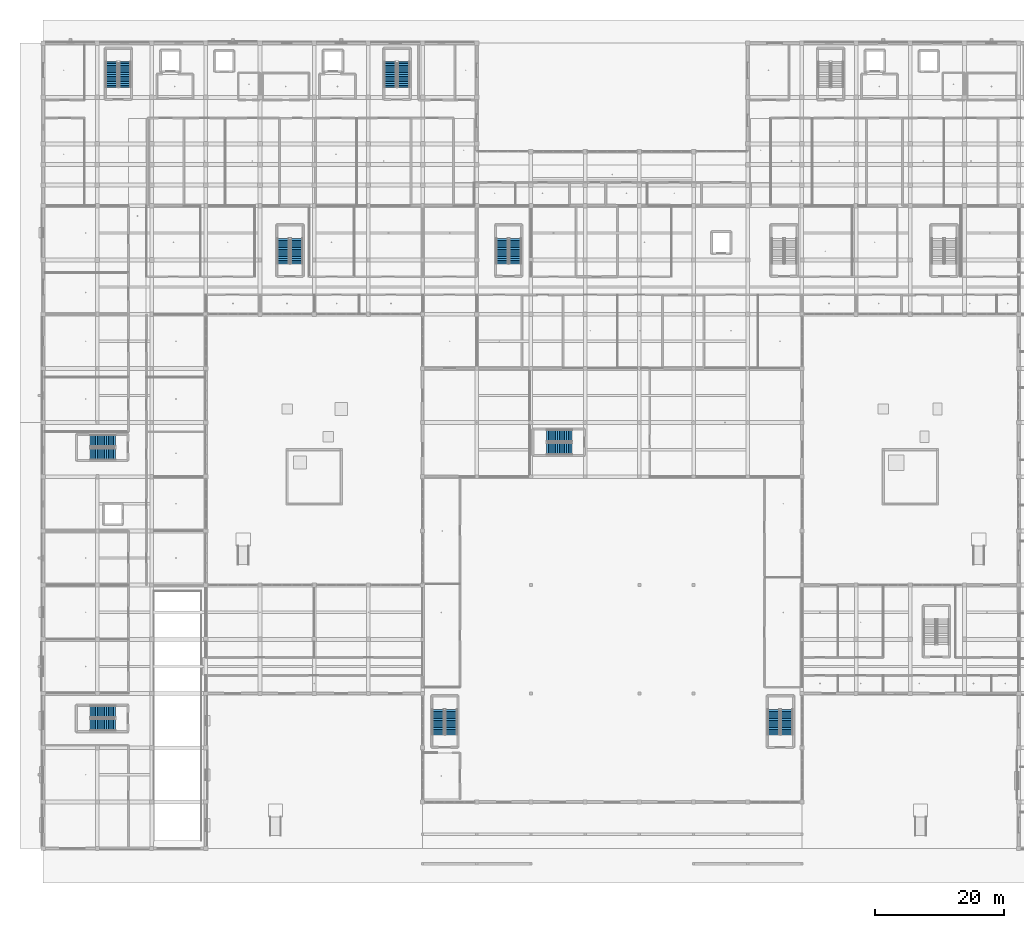
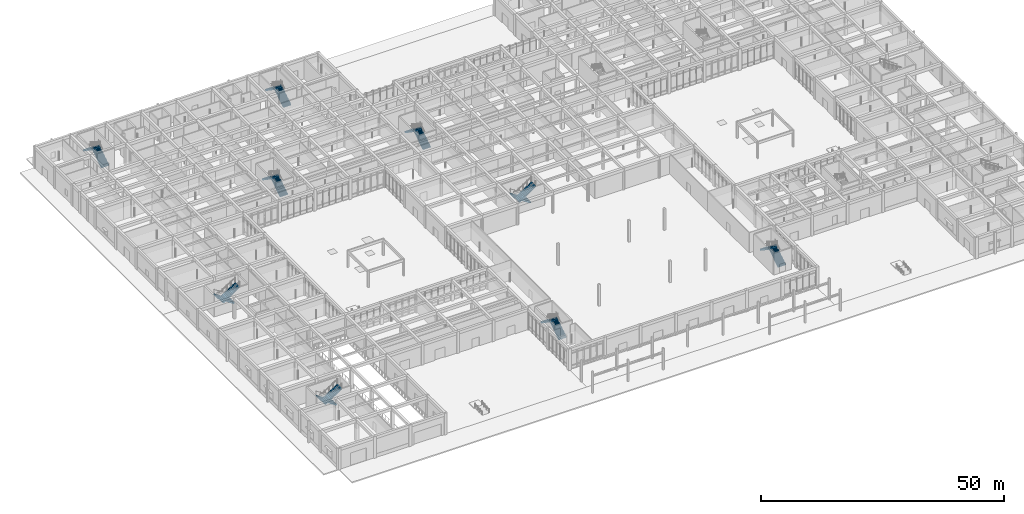
# One storey, part 80 of 167: 18 stair flights, 9 elements without a shape of their own.
"""IFC4 building model written with IfcOpenShell, lengths in metres."""

from ifc_helpers import new_model, si_unit, direction, frame, origin, place, context, subcontext, project, spatial, polyline, outline, extrude, material, type_object, element, aggregate, save


model = new_model("IFC4")

# Units and contexts
model_context = context("Model", 3, precision=1e-05, world=origin(), true_north=direction((0.0, 1.0)))
body_context = subcontext(model_context, "Body", "Model", "MODEL_VIEW")
ifc_project = project(units=[si_unit("LENGTHUNIT", "METRE"), si_unit("AREAUNIT", "SQUARE_METRE"), si_unit("VOLUMEUNIT", "CUBIC_METRE"), si_unit("PLANEANGLEUNIT", "RADIAN"), si_unit("MASSUNIT", "GRAM", prefix="KILO")], contexts=[model_context])

# Site, building, storey
site_placement = place(None, origin())
site = spatial("IfcSite", under=ifc_project, at=site_placement, CompositionType="ELEMENT")
building_placement = place(site_placement, origin())
building = spatial("IfcBuilding", under=site, at=building_placement, Name="Varncliffe General Hospital", CompositionType="ELEMENT")
storey_placement = place(building_placement, origin())
storey = spatial("IfcBuildingStorey", under=building, at=storey_placement, Name="L00", CompositionType="ELEMENT", Elevation=0.0)

# Stair, stair flights
ifc_material = material(Name="Concrete C35/45 (CSA A23.1 35 MPa)", Category="concrete")
stair_type = type_object("IfcStairType", Name="Hospital Stair Assembly ST-T02 (1850w-5400h)", PredefinedType="TWO_STRAIGHT_RUN_STAIR", material=ifc_material)
stair_1_placement = place(storey_placement, origin())
stair_1 = element("IfcStair", 1, at=stair_1_placement, inside=storey, type_object=stair_type, Name="L00 North-West Ward Exit Stair 1", PredefinedType="TWO_STRAIGHT_RUN_STAIR")
stair_flight_type = type_object("IfcStairFlightType", Name="Hospital Stair Flight FL-T02 (1850w-5400h)", PredefinedType="STRAIGHT", material=ifc_material)
stair_flight_1_placement = place(storey_placement, frame((12.675048828125, 118.0, 0.0), z_axis=(0.0, 0.0, 1.0), x_axis=(0.0, 1.0, 0.0)))
stair_flight_1 = element("IfcStairFlight", 2, at=stair_flight_1_placement, type_object=stair_flight_type, Name="ST01 flight 1", NumberOfRisers=15, NumberOfTreads=14, PredefinedType="STRAIGHT", RiserHeight=0.18, TreadLength=0.28, context=body_context, shape_type="SweptSolid", body=[
    extrude(outline(polyline([(-0.02490234375, -0.14990234375), (-0.02490234375, 0.0), (0.0, 0.0), (0.0, 0.179931640625), (0.280029296875, 0.179931640625), (0.280029296875, 0.360107421875), (0.56005859375, 0.360107421875), (0.56005859375, 0.5400390625), (0.840087890625, 0.5400390625), (0.840087890625, 0.719970703125), (1.1201171875, 0.719970703125), (1.1201171875, 0.89990234375), (1.39990234375, 0.89990234375), (1.39990234375, 1.080078125), (1.679931640625, 1.080078125), (1.679931640625, 1.260009765625), (1.9599609375, 1.260009765625), (1.9599609375, 1.43994140625), (2.239990234375, 1.43994140625), (2.239990234375, 1.6201171875), (2.52001953125, 1.6201171875), (2.52001953125, 1.800048828125), (2.800048828125, 1.800048828125), (2.800048828125, 1.97998046875), (3.080078125, 1.97998046875), (3.080078125, 2.159912109375), (3.360107421875, 2.159912109375), (3.360107421875, 2.340087890625), (3.639892578125, 2.340087890625), (3.639892578125, 2.52001953125), (3.919921875, 2.52001953125), (3.919921875, 2.699951171875), (3.94482421875, 2.699951171875), (3.94482421875, 2.550048828125), (3.919921875, 2.341796875), (0.277099609375, -0.14990234375), (-0.02490234375, -0.14990234375)])), frame((0.0, 0.925048828125, 0.0), z_axis=(0.0, -1.0, 0.0), x_axis=(1.0, 0.0, 0.0)), (0.0, 0.0, 1.0), 1.85009765625),
])
stair_flight_2_placement = place(storey_placement, frame((10.625, 121.919921875, 2.699951171875), z_axis=(0.0, 0.0, 1.0), x_axis=(0.0, -1.0, 0.0)))
stair_flight_2 = element("IfcStairFlight", 3, at=stair_flight_2_placement, type_object=stair_flight_type, Name="ST01 flight 2", NumberOfRisers=15, NumberOfTreads=14, PredefinedType="STRAIGHT", RiserHeight=0.18, TreadLength=0.28, context=body_context, shape_type="SweptSolid", body=[
    extrude(outline(polyline([(-0.02490234375, -0.14990234375), (-0.02490234375, 0.0), (0.0, 0.0), (0.0, 0.179931640625), (0.280029296875, 0.179931640625), (0.280029296875, 0.360107421875), (0.56005859375, 0.360107421875), (0.56005859375, 0.5400390625), (0.840087890625, 0.5400390625), (0.840087890625, 0.719970703125), (1.1201171875, 0.719970703125), (1.1201171875, 0.89990234375), (1.39990234375, 0.89990234375), (1.39990234375, 1.080078125), (1.679931640625, 1.080078125), (1.679931640625, 1.260009765625), (1.9599609375, 1.260009765625), (1.9599609375, 1.43994140625), (2.239990234375, 1.43994140625), (2.239990234375, 1.6201171875), (2.52001953125, 1.6201171875), (2.52001953125, 1.800048828125), (2.800048828125, 1.800048828125), (2.800048828125, 1.97998046875), (3.080078125, 1.97998046875), (3.080078125, 2.159912109375), (3.360107421875, 2.159912109375), (3.360107421875, 2.340087890625), (3.639892578125, 2.340087890625), (3.639892578125, 2.52001953125), (3.919921875, 2.52001953125), (3.919921875, 2.699951171875), (3.94482421875, 2.699951171875), (3.94482421875, 2.550048828125), (3.919921875, 2.341796875), (0.277099609375, -0.14990234375), (-0.02490234375, -0.14990234375)])), frame((0.0, 0.925048828125, 0.0), z_axis=(0.0, -1.0, 0.0), x_axis=(1.0, 0.0, 0.0)), (0.0, 0.0, 1.0), 1.85009765625),
])
aggregate(stair_1, [stair_flight_1, stair_flight_2])

stair_2_placement = place(storey_placement, origin())
stair_2 = element("IfcStair", 4, at=stair_2_placement, inside=storey, type_object=stair_type, Name="L00 North-West Ward Exit Stair 2", PredefinedType="TWO_STRAIGHT_RUN_STAIR")
stair_flight_3_placement = place(storey_placement, frame((55.875, 118.0, 0.0), z_axis=(0.0, 0.0, 1.0), x_axis=(0.0, 1.0, 0.0)))
stair_flight_3 = element("IfcStairFlight", 5, at=stair_flight_3_placement, type_object=stair_flight_type, Name="ST02 flight 1", NumberOfRisers=15, NumberOfTreads=14, PredefinedType="STRAIGHT", RiserHeight=0.18, TreadLength=0.28, context=body_context, shape_type="SweptSolid", body=[
    extrude(outline(polyline([(-0.02490234375, -0.14990234375), (-0.02490234375, 0.0), (0.0, 0.0), (0.0, 0.179931640625), (0.280029296875, 0.179931640625), (0.280029296875, 0.360107421875), (0.56005859375, 0.360107421875), (0.56005859375, 0.5400390625), (0.840087890625, 0.5400390625), (0.840087890625, 0.719970703125), (1.1201171875, 0.719970703125), (1.1201171875, 0.89990234375), (1.39990234375, 0.89990234375), (1.39990234375, 1.080078125), (1.679931640625, 1.080078125), (1.679931640625, 1.260009765625), (1.9599609375, 1.260009765625), (1.9599609375, 1.43994140625), (2.239990234375, 1.43994140625), (2.239990234375, 1.6201171875), (2.52001953125, 1.6201171875), (2.52001953125, 1.800048828125), (2.800048828125, 1.800048828125), (2.800048828125, 1.97998046875), (3.080078125, 1.97998046875), (3.080078125, 2.159912109375), (3.360107421875, 2.159912109375), (3.360107421875, 2.340087890625), (3.639892578125, 2.340087890625), (3.639892578125, 2.52001953125), (3.919921875, 2.52001953125), (3.919921875, 2.699951171875), (3.94482421875, 2.699951171875), (3.94482421875, 2.550048828125), (3.919921875, 2.341796875), (0.277099609375, -0.14990234375), (-0.02490234375, -0.14990234375)])), frame((0.0, 0.925048828125, 0.0), z_axis=(0.0, -1.0, 0.0), x_axis=(1.0, 0.0, 0.0)), (0.0, 0.0, 1.0), 1.85009765625),
])
stair_flight_4_placement = place(storey_placement, frame((53.824951171875, 121.919921875, 2.699951171875), z_axis=(0.0, 0.0, 1.0), x_axis=(0.0, -1.0, 0.0)))
stair_flight_4 = element("IfcStairFlight", 6, at=stair_flight_4_placement, type_object=stair_flight_type, Name="ST02 flight 2", NumberOfRisers=15, NumberOfTreads=14, PredefinedType="STRAIGHT", RiserHeight=0.18, TreadLength=0.28, context=body_context, shape_type="SweptSolid", body=[
    extrude(outline(polyline([(-0.02490234375, -0.14990234375), (-0.02490234375, 0.0), (0.0, 0.0), (0.0, 0.179931640625), (0.280029296875, 0.179931640625), (0.280029296875, 0.360107421875), (0.56005859375, 0.360107421875), (0.56005859375, 0.5400390625), (0.840087890625, 0.5400390625), (0.840087890625, 0.719970703125), (1.1201171875, 0.719970703125), (1.1201171875, 0.89990234375), (1.39990234375, 0.89990234375), (1.39990234375, 1.080078125), (1.679931640625, 1.080078125), (1.679931640625, 1.260009765625), (1.9599609375, 1.260009765625), (1.9599609375, 1.43994140625), (2.239990234375, 1.43994140625), (2.239990234375, 1.6201171875), (2.52001953125, 1.6201171875), (2.52001953125, 1.800048828125), (2.800048828125, 1.800048828125), (2.800048828125, 1.97998046875), (3.080078125, 1.97998046875), (3.080078125, 2.159912109375), (3.360107421875, 2.159912109375), (3.360107421875, 2.340087890625), (3.639892578125, 2.340087890625), (3.639892578125, 2.52001953125), (3.919921875, 2.52001953125), (3.919921875, 2.699951171875), (3.94482421875, 2.699951171875), (3.94482421875, 2.550048828125), (3.919921875, 2.341796875), (0.277099609375, -0.14990234375), (-0.02490234375, -0.14990234375)])), frame((0.0, 0.925048828125, 0.0), z_axis=(0.0, -1.0, 0.0), x_axis=(1.0, 0.0, 0.0)), (0.0, 0.0, 1.0), 1.85009765625),
])
aggregate(stair_2, [stair_flight_3, stair_flight_4])

stair_3_placement = place(storey_placement, origin())
stair_3 = element("IfcStair", 7, at=stair_3_placement, inside=storey, type_object=stair_type, Name="L00 Diagnostic West Exit Stair 5", PredefinedType="TWO_STRAIGHT_RUN_STAIR")
stair_flight_5_placement = place(storey_placement, frame((11.199951171875, 63.175048828125, 0.0), z_axis=(0.0, 0.0, 1.0), x_axis=(-1.0, 0.0, 0.0)))
stair_flight_5 = element("IfcStairFlight", 8, at=stair_flight_5_placement, type_object=stair_flight_type, Name="ST05 flight 1", NumberOfRisers=15, NumberOfTreads=14, PredefinedType="STRAIGHT", RiserHeight=0.18, TreadLength=0.28, context=body_context, shape_type="SweptSolid", body=[
    extrude(outline(polyline([(-0.02490234375, -0.14990234375), (-0.02490234375, 0.0), (0.0, 0.0), (0.0, 0.179931640625), (0.280029296875, 0.179931640625), (0.280029296875, 0.360107421875), (0.56005859375, 0.360107421875), (0.56005859375, 0.5400390625), (0.840087890625, 0.5400390625), (0.840087890625, 0.719970703125), (1.1201171875, 0.719970703125), (1.1201171875, 0.89990234375), (1.39990234375, 0.89990234375), (1.39990234375, 1.080078125), (1.679931640625, 1.080078125), (1.679931640625, 1.260009765625), (1.9599609375, 1.260009765625), (1.9599609375, 1.43994140625), (2.239990234375, 1.43994140625), (2.239990234375, 1.6201171875), (2.52001953125, 1.6201171875), (2.52001953125, 1.800048828125), (2.800048828125, 1.800048828125), (2.800048828125, 1.97998046875), (3.080078125, 1.97998046875), (3.080078125, 2.159912109375), (3.360107421875, 2.159912109375), (3.360107421875, 2.340087890625), (3.639892578125, 2.340087890625), (3.639892578125, 2.52001953125), (3.919921875, 2.52001953125), (3.919921875, 2.699951171875), (3.94482421875, 2.699951171875), (3.94482421875, 2.550048828125), (3.919921875, 2.341796875), (0.277099609375, -0.14990234375), (-0.02490234375, -0.14990234375)])), frame((0.0, 0.925048828125, 0.0), z_axis=(0.0, -1.0, 0.0), x_axis=(1.0, 0.0, 0.0)), (0.0, 0.0, 1.0), 1.85009765625),
])
stair_flight_6_placement = place(storey_placement, frame((7.280029296875, 61.125, 2.699951171875), z_axis=(0.0, 0.0, 1.0), x_axis=(1.0, 0.0, 0.0)))
stair_flight_6 = element("IfcStairFlight", 9, at=stair_flight_6_placement, type_object=stair_flight_type, Name="ST05 flight 2", NumberOfRisers=15, NumberOfTreads=14, PredefinedType="STRAIGHT", RiserHeight=0.18, TreadLength=0.28, context=body_context, shape_type="SweptSolid", body=[
    extrude(outline(polyline([(-0.02490234375, -0.14990234375), (-0.02490234375, 0.0), (0.0, 0.0), (0.0, 0.179931640625), (0.280029296875, 0.179931640625), (0.280029296875, 0.360107421875), (0.56005859375, 0.360107421875), (0.56005859375, 0.5400390625), (0.840087890625, 0.5400390625), (0.840087890625, 0.719970703125), (1.1201171875, 0.719970703125), (1.1201171875, 0.89990234375), (1.39990234375, 0.89990234375), (1.39990234375, 1.080078125), (1.679931640625, 1.080078125), (1.679931640625, 1.260009765625), (1.9599609375, 1.260009765625), (1.9599609375, 1.43994140625), (2.239990234375, 1.43994140625), (2.239990234375, 1.6201171875), (2.52001953125, 1.6201171875), (2.52001953125, 1.800048828125), (2.800048828125, 1.800048828125), (2.800048828125, 1.97998046875), (3.080078125, 1.97998046875), (3.080078125, 2.159912109375), (3.360107421875, 2.159912109375), (3.360107421875, 2.340087890625), (3.639892578125, 2.340087890625), (3.639892578125, 2.52001953125), (3.919921875, 2.52001953125), (3.919921875, 2.699951171875), (3.94482421875, 2.699951171875), (3.94482421875, 2.550048828125), (3.919921875, 2.341796875), (0.277099609375, -0.14990234375), (-0.02490234375, -0.14990234375)])), frame((0.0, 0.925048828125, 0.0), z_axis=(0.0, -1.0, 0.0), x_axis=(1.0, 0.0, 0.0)), (0.0, 0.0, 1.0), 1.85009765625),
])
aggregate(stair_3, [stair_flight_5, stair_flight_6])

stair_4_placement = place(storey_placement, origin())
stair_4 = element("IfcStair", 10, at=stair_4_placement, inside=storey, type_object=stair_type, Name="L00 Emergency South-West Exit Stair 8", PredefinedType="TWO_STRAIGHT_RUN_STAIR")
stair_flight_7_placement = place(storey_placement, frame((11.199951171875, 21.175048828125, 0.0), z_axis=(0.0, 0.0, 1.0), x_axis=(-1.0, 0.0, 0.0)))
stair_flight_7 = element("IfcStairFlight", 11, at=stair_flight_7_placement, type_object=stair_flight_type, Name="ST08 flight 1", NumberOfRisers=15, NumberOfTreads=14, PredefinedType="STRAIGHT", RiserHeight=0.18, TreadLength=0.28, context=body_context, shape_type="SweptSolid", body=[
    extrude(outline(polyline([(-0.02490234375, -0.14990234375), (-0.02490234375, 0.0), (0.0, 0.0), (0.0, 0.179931640625), (0.280029296875, 0.179931640625), (0.280029296875, 0.360107421875), (0.56005859375, 0.360107421875), (0.56005859375, 0.5400390625), (0.840087890625, 0.5400390625), (0.840087890625, 0.719970703125), (1.1201171875, 0.719970703125), (1.1201171875, 0.89990234375), (1.39990234375, 0.89990234375), (1.39990234375, 1.080078125), (1.679931640625, 1.080078125), (1.679931640625, 1.260009765625), (1.9599609375, 1.260009765625), (1.9599609375, 1.43994140625), (2.239990234375, 1.43994140625), (2.239990234375, 1.6201171875), (2.52001953125, 1.6201171875), (2.52001953125, 1.800048828125), (2.800048828125, 1.800048828125), (2.800048828125, 1.97998046875), (3.080078125, 1.97998046875), (3.080078125, 2.159912109375), (3.360107421875, 2.159912109375), (3.360107421875, 2.340087890625), (3.639892578125, 2.340087890625), (3.639892578125, 2.52001953125), (3.919921875, 2.52001953125), (3.919921875, 2.699951171875), (3.94482421875, 2.699951171875), (3.94482421875, 2.550048828125), (3.919921875, 2.341796875), (0.277099609375, -0.14990234375), (-0.02490234375, -0.14990234375)])), frame((0.0, 0.925048828125, 0.0), z_axis=(0.0, -1.0, 0.0), x_axis=(1.0, 0.0, 0.0)), (0.0, 0.0, 1.0), 1.85009765625),
])
stair_flight_8_placement = place(storey_placement, frame((7.280029296875, 19.125, 2.699951171875), z_axis=(0.0, 0.0, 1.0), x_axis=(1.0, 0.0, 0.0)))
stair_flight_8 = element("IfcStairFlight", 12, at=stair_flight_8_placement, type_object=stair_flight_type, Name="ST08 flight 2", NumberOfRisers=15, NumberOfTreads=14, PredefinedType="STRAIGHT", RiserHeight=0.18, TreadLength=0.28, context=body_context, shape_type="SweptSolid", body=[
    extrude(outline(polyline([(-0.02490234375, -0.14990234375), (-0.02490234375, 0.0), (0.0, 0.0), (0.0, 0.179931640625), (0.280029296875, 0.179931640625), (0.280029296875, 0.360107421875), (0.56005859375, 0.360107421875), (0.56005859375, 0.5400390625), (0.840087890625, 0.5400390625), (0.840087890625, 0.719970703125), (1.1201171875, 0.719970703125), (1.1201171875, 0.89990234375), (1.39990234375, 0.89990234375), (1.39990234375, 1.080078125), (1.679931640625, 1.080078125), (1.679931640625, 1.260009765625), (1.9599609375, 1.260009765625), (1.9599609375, 1.43994140625), (2.239990234375, 1.43994140625), (2.239990234375, 1.6201171875), (2.52001953125, 1.6201171875), (2.52001953125, 1.800048828125), (2.800048828125, 1.800048828125), (2.800048828125, 1.97998046875), (3.080078125, 1.97998046875), (3.080078125, 2.159912109375), (3.360107421875, 2.159912109375), (3.360107421875, 2.340087890625), (3.639892578125, 2.340087890625), (3.639892578125, 2.52001953125), (3.919921875, 2.52001953125), (3.919921875, 2.699951171875), (3.94482421875, 2.699951171875), (3.94482421875, 2.550048828125), (3.919921875, 2.341796875), (0.277099609375, -0.14990234375), (-0.02490234375, -0.14990234375)])), frame((0.0, 0.925048828125, 0.0), z_axis=(0.0, -1.0, 0.0), x_axis=(1.0, 0.0, 0.0)), (0.0, 0.0, 1.0), 1.85009765625),
])
aggregate(stair_4, [stair_flight_7, stair_flight_8])

stair_5_placement = place(storey_placement, origin())
stair_5 = element("IfcStair", 13, at=stair_5_placement, inside=storey, type_object=stair_type, Name="L00 Main Pavilion South-West Exit Stair 9", PredefinedType="TWO_STRAIGHT_RUN_STAIR")
stair_flight_9_placement = place(storey_placement, frame((63.27490234375, 17.60009765625, 0.0), z_axis=(0.0, 0.0, 1.0), x_axis=(0.0, 1.0, 0.0)))
stair_flight_9 = element("IfcStairFlight", 14, at=stair_flight_9_placement, type_object=stair_flight_type, Name="ST09 flight 1", NumberOfRisers=15, NumberOfTreads=14, PredefinedType="STRAIGHT", RiserHeight=0.18, TreadLength=0.28, context=body_context, shape_type="SweptSolid", body=[
    extrude(outline(polyline([(-0.02490234375, -0.14990234375), (-0.02490234375, 0.0), (0.0, 0.0), (0.0, 0.179931640625), (0.280029296875, 0.179931640625), (0.280029296875, 0.360107421875), (0.56005859375, 0.360107421875), (0.56005859375, 0.5400390625), (0.840087890625, 0.5400390625), (0.840087890625, 0.719970703125), (1.1201171875, 0.719970703125), (1.1201171875, 0.89990234375), (1.39990234375, 0.89990234375), (1.39990234375, 1.080078125), (1.679931640625, 1.080078125), (1.679931640625, 1.260009765625), (1.9599609375, 1.260009765625), (1.9599609375, 1.43994140625), (2.239990234375, 1.43994140625), (2.239990234375, 1.6201171875), (2.52001953125, 1.6201171875), (2.52001953125, 1.800048828125), (2.800048828125, 1.800048828125), (2.800048828125, 1.97998046875), (3.080078125, 1.97998046875), (3.080078125, 2.159912109375), (3.360107421875, 2.159912109375), (3.360107421875, 2.340087890625), (3.639892578125, 2.340087890625), (3.639892578125, 2.52001953125), (3.919921875, 2.52001953125), (3.919921875, 2.699951171875), (3.94482421875, 2.699951171875), (3.94482421875, 2.550048828125), (3.919921875, 2.341796875), (0.277099609375, -0.14990234375), (-0.02490234375, -0.14990234375)])), frame((0.0, 0.925048828125, 0.0), z_axis=(0.0, -1.0, 0.0), x_axis=(1.0, 0.0, 0.0)), (0.0, 0.0, 1.0), 1.85009765625),
])
stair_flight_10_placement = place(storey_placement, frame((61.22509765625, 21.52001953125, 2.699951171875), z_axis=(0.0, 0.0, 1.0), x_axis=(0.0, -1.0, 0.0)))
stair_flight_10 = element("IfcStairFlight", 15, at=stair_flight_10_placement, type_object=stair_flight_type, Name="ST09 flight 2", NumberOfRisers=15, NumberOfTreads=14, PredefinedType="STRAIGHT", RiserHeight=0.18, TreadLength=0.28, context=body_context, shape_type="SweptSolid", body=[
    extrude(outline(polyline([(-0.02490234375, -0.14990234375), (-0.02490234375, 0.0), (0.0, 0.0), (0.0, 0.179931640625), (0.280029296875, 0.179931640625), (0.280029296875, 0.360107421875), (0.56005859375, 0.360107421875), (0.56005859375, 0.5400390625), (0.840087890625, 0.5400390625), (0.840087890625, 0.719970703125), (1.1201171875, 0.719970703125), (1.1201171875, 0.89990234375), (1.39990234375, 0.89990234375), (1.39990234375, 1.080078125), (1.679931640625, 1.080078125), (1.679931640625, 1.260009765625), (1.9599609375, 1.260009765625), (1.9599609375, 1.43994140625), (2.239990234375, 1.43994140625), (2.239990234375, 1.6201171875), (2.52001953125, 1.6201171875), (2.52001953125, 1.800048828125), (2.800048828125, 1.800048828125), (2.800048828125, 1.97998046875), (3.080078125, 1.97998046875), (3.080078125, 2.159912109375), (3.360107421875, 2.159912109375), (3.360107421875, 2.340087890625), (3.639892578125, 2.340087890625), (3.639892578125, 2.52001953125), (3.919921875, 2.52001953125), (3.919921875, 2.699951171875), (3.94482421875, 2.699951171875), (3.94482421875, 2.550048828125), (3.919921875, 2.341796875), (0.277099609375, -0.14990234375), (-0.02490234375, -0.14990234375)])), frame((0.0, 0.925048828125, 0.0), z_axis=(0.0, -1.0, 0.0), x_axis=(1.0, 0.0, 0.0)), (0.0, 0.0, 1.0), 1.85009765625),
])
aggregate(stair_5, [stair_flight_9, stair_flight_10])

stair_6_placement = place(storey_placement, origin())
stair_6 = element("IfcStair", 16, at=stair_6_placement, inside=storey, type_object=stair_type, Name="L00 Main Pavilion South-East Exit Stair 10", PredefinedType="TWO_STRAIGHT_RUN_STAIR")
stair_flight_11_placement = place(storey_placement, frame((115.27490234375, 17.60009765625, 0.0), z_axis=(0.0, 0.0, 1.0), x_axis=(0.0, 1.0, 0.0)))
stair_flight_11 = element("IfcStairFlight", 17, at=stair_flight_11_placement, type_object=stair_flight_type, Name="ST10 flight 1", NumberOfRisers=15, NumberOfTreads=14, PredefinedType="STRAIGHT", RiserHeight=0.18, TreadLength=0.28, context=body_context, shape_type="SweptSolid", body=[
    extrude(outline(polyline([(-0.02490234375, -0.14990234375), (-0.02490234375, 0.0), (0.0, 0.0), (0.0, 0.179931640625), (0.280029296875, 0.179931640625), (0.280029296875, 0.360107421875), (0.56005859375, 0.360107421875), (0.56005859375, 0.5400390625), (0.840087890625, 0.5400390625), (0.840087890625, 0.719970703125), (1.1201171875, 0.719970703125), (1.1201171875, 0.89990234375), (1.39990234375, 0.89990234375), (1.39990234375, 1.080078125), (1.679931640625, 1.080078125), (1.679931640625, 1.260009765625), (1.9599609375, 1.260009765625), (1.9599609375, 1.43994140625), (2.239990234375, 1.43994140625), (2.239990234375, 1.6201171875), (2.52001953125, 1.6201171875), (2.52001953125, 1.800048828125), (2.800048828125, 1.800048828125), (2.800048828125, 1.97998046875), (3.080078125, 1.97998046875), (3.080078125, 2.159912109375), (3.360107421875, 2.159912109375), (3.360107421875, 2.340087890625), (3.639892578125, 2.340087890625), (3.639892578125, 2.52001953125), (3.919921875, 2.52001953125), (3.919921875, 2.699951171875), (3.94482421875, 2.699951171875), (3.94482421875, 2.550048828125), (3.919921875, 2.341796875), (0.277099609375, -0.14990234375), (-0.02490234375, -0.14990234375)])), frame((0.0, 0.925048828125, 0.0), z_axis=(0.0, -1.0, 0.0), x_axis=(1.0, 0.0, 0.0)), (0.0, 0.0, 1.0), 1.85009765625),
])
stair_flight_12_placement = place(storey_placement, frame((113.22509765625, 21.52001953125, 2.699951171875), z_axis=(0.0, 0.0, 1.0), x_axis=(0.0, -1.0, 0.0)))
stair_flight_12 = element("IfcStairFlight", 18, at=stair_flight_12_placement, type_object=stair_flight_type, Name="ST10 flight 2", NumberOfRisers=15, NumberOfTreads=14, PredefinedType="STRAIGHT", RiserHeight=0.18, TreadLength=0.28, context=body_context, shape_type="SweptSolid", body=[
    extrude(outline(polyline([(-0.02490234375, -0.14990234375), (-0.02490234375, 0.0), (0.0, 0.0), (0.0, 0.179931640625), (0.280029296875, 0.179931640625), (0.280029296875, 0.360107421875), (0.56005859375, 0.360107421875), (0.56005859375, 0.5400390625), (0.840087890625, 0.5400390625), (0.840087890625, 0.719970703125), (1.1201171875, 0.719970703125), (1.1201171875, 0.89990234375), (1.39990234375, 0.89990234375), (1.39990234375, 1.080078125), (1.679931640625, 1.080078125), (1.679931640625, 1.260009765625), (1.9599609375, 1.260009765625), (1.9599609375, 1.43994140625), (2.239990234375, 1.43994140625), (2.239990234375, 1.6201171875), (2.52001953125, 1.6201171875), (2.52001953125, 1.800048828125), (2.800048828125, 1.800048828125), (2.800048828125, 1.97998046875), (3.080078125, 1.97998046875), (3.080078125, 2.159912109375), (3.360107421875, 2.159912109375), (3.360107421875, 2.340087890625), (3.639892578125, 2.340087890625), (3.639892578125, 2.52001953125), (3.919921875, 2.52001953125), (3.919921875, 2.699951171875), (3.94482421875, 2.699951171875), (3.94482421875, 2.550048828125), (3.919921875, 2.341796875), (0.277099609375, -0.14990234375), (-0.02490234375, -0.14990234375)])), frame((0.0, 0.925048828125, 0.0), z_axis=(0.0, -1.0, 0.0), x_axis=(1.0, 0.0, 0.0)), (0.0, 0.0, 1.0), 1.85009765625),
])
aggregate(stair_6, [stair_flight_11, stair_flight_12])

stair_7_placement = place(storey_placement, origin())
stair_7 = element("IfcStair", 19, at=stair_7_placement, inside=storey, type_object=stair_type, Name="L00 Surgical West Exit Stair 12", PredefinedType="TWO_STRAIGHT_RUN_STAIR")
stair_flight_13_placement = place(storey_placement, frame((73.175048828125, 90.60009765625, 0.0), z_axis=(0.0, 0.0, 1.0), x_axis=(0.0, 1.0, 0.0)))
stair_flight_13 = element("IfcStairFlight", 20, at=stair_flight_13_placement, type_object=stair_flight_type, Name="ST12 flight 1", NumberOfRisers=15, NumberOfTreads=14, PredefinedType="STRAIGHT", RiserHeight=0.18, TreadLength=0.28, context=body_context, shape_type="SweptSolid", body=[
    extrude(outline(polyline([(-0.02490234375, -0.14990234375), (-0.02490234375, 0.0), (0.0, 0.0), (0.0, 0.179931640625), (0.280029296875, 0.179931640625), (0.280029296875, 0.360107421875), (0.56005859375, 0.360107421875), (0.56005859375, 0.5400390625), (0.840087890625, 0.5400390625), (0.840087890625, 0.719970703125), (1.1201171875, 0.719970703125), (1.1201171875, 0.89990234375), (1.39990234375, 0.89990234375), (1.39990234375, 1.080078125), (1.679931640625, 1.080078125), (1.679931640625, 1.260009765625), (1.9599609375, 1.260009765625), (1.9599609375, 1.43994140625), (2.239990234375, 1.43994140625), (2.239990234375, 1.6201171875), (2.52001953125, 1.6201171875), (2.52001953125, 1.800048828125), (2.800048828125, 1.800048828125), (2.800048828125, 1.97998046875), (3.080078125, 1.97998046875), (3.080078125, 2.159912109375), (3.360107421875, 2.159912109375), (3.360107421875, 2.340087890625), (3.639892578125, 2.340087890625), (3.639892578125, 2.52001953125), (3.919921875, 2.52001953125), (3.919921875, 2.699951171875), (3.94482421875, 2.699951171875), (3.94482421875, 2.550048828125), (3.919921875, 2.341796875), (0.277099609375, -0.14990234375), (-0.02490234375, -0.14990234375)])), frame((0.0, 0.925048828125, 0.0), z_axis=(0.0, -1.0, 0.0), x_axis=(1.0, 0.0, 0.0)), (0.0, 0.0, 1.0), 1.85009765625),
])
stair_flight_14_placement = place(storey_placement, frame((71.125, 94.52001953125, 2.699951171875), z_axis=(0.0, 0.0, 1.0), x_axis=(0.0, -1.0, 0.0)))
stair_flight_14 = element("IfcStairFlight", 21, at=stair_flight_14_placement, type_object=stair_flight_type, Name="ST12 flight 2", NumberOfRisers=15, NumberOfTreads=14, PredefinedType="STRAIGHT", RiserHeight=0.18, TreadLength=0.28, context=body_context, shape_type="SweptSolid", body=[
    extrude(outline(polyline([(-0.02490234375, -0.14990234375), (-0.02490234375, 0.0), (0.0, 0.0), (0.0, 0.179931640625), (0.280029296875, 0.179931640625), (0.280029296875, 0.360107421875), (0.56005859375, 0.360107421875), (0.56005859375, 0.5400390625), (0.840087890625, 0.5400390625), (0.840087890625, 0.719970703125), (1.1201171875, 0.719970703125), (1.1201171875, 0.89990234375), (1.39990234375, 0.89990234375), (1.39990234375, 1.080078125), (1.679931640625, 1.080078125), (1.679931640625, 1.260009765625), (1.9599609375, 1.260009765625), (1.9599609375, 1.43994140625), (2.239990234375, 1.43994140625), (2.239990234375, 1.6201171875), (2.52001953125, 1.6201171875), (2.52001953125, 1.800048828125), (2.800048828125, 1.800048828125), (2.800048828125, 1.97998046875), (3.080078125, 1.97998046875), (3.080078125, 2.159912109375), (3.360107421875, 2.159912109375), (3.360107421875, 2.340087890625), (3.639892578125, 2.340087890625), (3.639892578125, 2.52001953125), (3.919921875, 2.52001953125), (3.919921875, 2.699951171875), (3.94482421875, 2.699951171875), (3.94482421875, 2.550048828125), (3.919921875, 2.341796875), (0.277099609375, -0.14990234375), (-0.02490234375, -0.14990234375)])), frame((0.0, 0.925048828125, 0.0), z_axis=(0.0, -1.0, 0.0), x_axis=(1.0, 0.0, 0.0)), (0.0, 0.0, 1.0), 1.85009765625),
])
aggregate(stair_7, [stair_flight_13, stair_flight_14])

stair_8_placement = place(storey_placement, origin())
stair_8 = element("IfcStair", 22, at=stair_8_placement, inside=storey, type_object=stair_type, Name="L00 West-Central Clinical Exit Stair 13", PredefinedType="TWO_STRAIGHT_RUN_STAIR")
stair_flight_15_placement = place(storey_placement, frame((39.27490234375, 90.60009765625, 0.0), z_axis=(0.0, 0.0, 1.0), x_axis=(0.0, 1.0, 0.0)))
stair_flight_15 = element("IfcStairFlight", 23, at=stair_flight_15_placement, type_object=stair_flight_type, Name="ST13 flight 1", NumberOfRisers=15, NumberOfTreads=14, PredefinedType="STRAIGHT", RiserHeight=0.18, TreadLength=0.28, context=body_context, shape_type="SweptSolid", body=[
    extrude(outline(polyline([(-0.02490234375, -0.14990234375), (-0.02490234375, 0.0), (0.0, 0.0), (0.0, 0.179931640625), (0.280029296875, 0.179931640625), (0.280029296875, 0.360107421875), (0.56005859375, 0.360107421875), (0.56005859375, 0.5400390625), (0.840087890625, 0.5400390625), (0.840087890625, 0.719970703125), (1.1201171875, 0.719970703125), (1.1201171875, 0.89990234375), (1.39990234375, 0.89990234375), (1.39990234375, 1.080078125), (1.679931640625, 1.080078125), (1.679931640625, 1.260009765625), (1.9599609375, 1.260009765625), (1.9599609375, 1.43994140625), (2.239990234375, 1.43994140625), (2.239990234375, 1.6201171875), (2.52001953125, 1.6201171875), (2.52001953125, 1.800048828125), (2.800048828125, 1.800048828125), (2.800048828125, 1.97998046875), (3.080078125, 1.97998046875), (3.080078125, 2.159912109375), (3.360107421875, 2.159912109375), (3.360107421875, 2.340087890625), (3.639892578125, 2.340087890625), (3.639892578125, 2.52001953125), (3.919921875, 2.52001953125), (3.919921875, 2.699951171875), (3.94482421875, 2.699951171875), (3.94482421875, 2.550048828125), (3.919921875, 2.341796875), (0.277099609375, -0.14990234375), (-0.02490234375, -0.14990234375)])), frame((0.0, 0.925048828125, 0.0), z_axis=(0.0, -1.0, 0.0), x_axis=(1.0, 0.0, 0.0)), (0.0, 0.0, 1.0), 1.85009765625),
])
stair_flight_16_placement = place(storey_placement, frame((37.22509765625, 94.52001953125, 2.699951171875), z_axis=(0.0, 0.0, 1.0), x_axis=(0.0, -1.0, 0.0)))
stair_flight_16 = element("IfcStairFlight", 24, at=stair_flight_16_placement, type_object=stair_flight_type, Name="ST13 flight 2", NumberOfRisers=15, NumberOfTreads=14, PredefinedType="STRAIGHT", RiserHeight=0.18, TreadLength=0.28, context=body_context, shape_type="SweptSolid", body=[
    extrude(outline(polyline([(-0.02490234375, -0.14990234375), (-0.02490234375, 0.0), (0.0, 0.0), (0.0, 0.179931640625), (0.280029296875, 0.179931640625), (0.280029296875, 0.360107421875), (0.56005859375, 0.360107421875), (0.56005859375, 0.5400390625), (0.840087890625, 0.5400390625), (0.840087890625, 0.719970703125), (1.1201171875, 0.719970703125), (1.1201171875, 0.89990234375), (1.39990234375, 0.89990234375), (1.39990234375, 1.080078125), (1.679931640625, 1.080078125), (1.679931640625, 1.260009765625), (1.9599609375, 1.260009765625), (1.9599609375, 1.43994140625), (2.239990234375, 1.43994140625), (2.239990234375, 1.6201171875), (2.52001953125, 1.6201171875), (2.52001953125, 1.800048828125), (2.800048828125, 1.800048828125), (2.800048828125, 1.97998046875), (3.080078125, 1.97998046875), (3.080078125, 2.159912109375), (3.360107421875, 2.159912109375), (3.360107421875, 2.340087890625), (3.639892578125, 2.340087890625), (3.639892578125, 2.52001953125), (3.919921875, 2.52001953125), (3.919921875, 2.699951171875), (3.94482421875, 2.699951171875), (3.94482421875, 2.550048828125), (3.919921875, 2.341796875), (0.277099609375, -0.14990234375), (-0.02490234375, -0.14990234375)])), frame((0.0, 0.925048828125, 0.0), z_axis=(0.0, -1.0, 0.0), x_axis=(1.0, 0.0, 0.0)), (0.0, 0.0, 1.0), 1.85009765625),
])
aggregate(stair_8, [stair_flight_15, stair_flight_16])

stair_9_placement = place(storey_placement, origin())
stair_9 = element("IfcStair", 25, at=stair_9_placement, inside=storey, type_object=stair_type, Name="L00 Winter-Garden Concourse Exit Stair 16", PredefinedType="TWO_STRAIGHT_RUN_STAIR")
stair_flight_17_placement = place(storey_placement, frame((81.949951171875, 63.97509765625, 0.0), z_axis=(0.0, 0.0, 1.0), x_axis=(-1.0, 0.0, 0.0)))
stair_flight_17 = element("IfcStairFlight", 26, at=stair_flight_17_placement, type_object=stair_flight_type, Name="ST16 flight 1", NumberOfRisers=15, NumberOfTreads=14, PredefinedType="STRAIGHT", RiserHeight=0.18, TreadLength=0.28, context=body_context, shape_type="SweptSolid", body=[
    extrude(outline(polyline([(-0.02490234375, -0.14990234375), (-0.02490234375, 0.0), (0.0, 0.0), (0.0, 0.179931640625), (0.280029296875, 0.179931640625), (0.280029296875, 0.360107421875), (0.56005859375, 0.360107421875), (0.56005859375, 0.5400390625), (0.840087890625, 0.5400390625), (0.840087890625, 0.719970703125), (1.1201171875, 0.719970703125), (1.1201171875, 0.89990234375), (1.39990234375, 0.89990234375), (1.39990234375, 1.080078125), (1.679931640625, 1.080078125), (1.679931640625, 1.260009765625), (1.9599609375, 1.260009765625), (1.9599609375, 1.43994140625), (2.239990234375, 1.43994140625), (2.239990234375, 1.6201171875), (2.52001953125, 1.6201171875), (2.52001953125, 1.800048828125), (2.800048828125, 1.800048828125), (2.800048828125, 1.97998046875), (3.080078125, 1.97998046875), (3.080078125, 2.159912109375), (3.360107421875, 2.159912109375), (3.360107421875, 2.340087890625), (3.639892578125, 2.340087890625), (3.639892578125, 2.52001953125), (3.919921875, 2.52001953125), (3.919921875, 2.699951171875), (3.94482421875, 2.699951171875), (3.94482421875, 2.550048828125), (3.919921875, 2.341796875), (0.277099609375, -0.14990234375), (-0.02490234375, -0.14990234375)])), frame((0.0, 0.925048828125, 0.0), z_axis=(0.0, -1.0, 0.0), x_axis=(1.0, 0.0, 0.0)), (0.0, 0.0, 1.0), 1.85009765625),
])
stair_flight_18_placement = place(storey_placement, frame((78.030029296875, 61.925048828125, 2.699951171875), z_axis=(0.0, 0.0, 1.0), x_axis=(1.0, 0.0, 0.0)))
stair_flight_18 = element("IfcStairFlight", 27, at=stair_flight_18_placement, type_object=stair_flight_type, Name="ST16 flight 2", NumberOfRisers=15, NumberOfTreads=14, PredefinedType="STRAIGHT", RiserHeight=0.18, TreadLength=0.28, context=body_context, shape_type="SweptSolid", body=[
    extrude(outline(polyline([(-0.02490234375, -0.14990234375), (-0.02490234375, 0.0), (0.0, 0.0), (0.0, 0.179931640625), (0.280029296875, 0.179931640625), (0.280029296875, 0.360107421875), (0.56005859375, 0.360107421875), (0.56005859375, 0.5400390625), (0.840087890625, 0.5400390625), (0.840087890625, 0.719970703125), (1.1201171875, 0.719970703125), (1.1201171875, 0.89990234375), (1.39990234375, 0.89990234375), (1.39990234375, 1.080078125), (1.679931640625, 1.080078125), (1.679931640625, 1.260009765625), (1.9599609375, 1.260009765625), (1.9599609375, 1.43994140625), (2.239990234375, 1.43994140625), (2.239990234375, 1.6201171875), (2.52001953125, 1.6201171875), (2.52001953125, 1.800048828125), (2.800048828125, 1.800048828125), (2.800048828125, 1.97998046875), (3.080078125, 1.97998046875), (3.080078125, 2.159912109375), (3.360107421875, 2.159912109375), (3.360107421875, 2.340087890625), (3.639892578125, 2.340087890625), (3.639892578125, 2.52001953125), (3.919921875, 2.52001953125), (3.919921875, 2.699951171875), (3.94482421875, 2.699951171875), (3.94482421875, 2.550048828125), (3.919921875, 2.341796875), (0.277099609375, -0.14990234375), (-0.02490234375, -0.14990234375)])), frame((0.0, 0.925048828125, 0.0), z_axis=(0.0, -1.0, 0.0), x_axis=(1.0, 0.0, 0.0)), (0.0, 0.0, 1.0), 1.85009765625),
])
aggregate(stair_9, [stair_flight_17, stair_flight_18])

save(model, "model.ifc")
